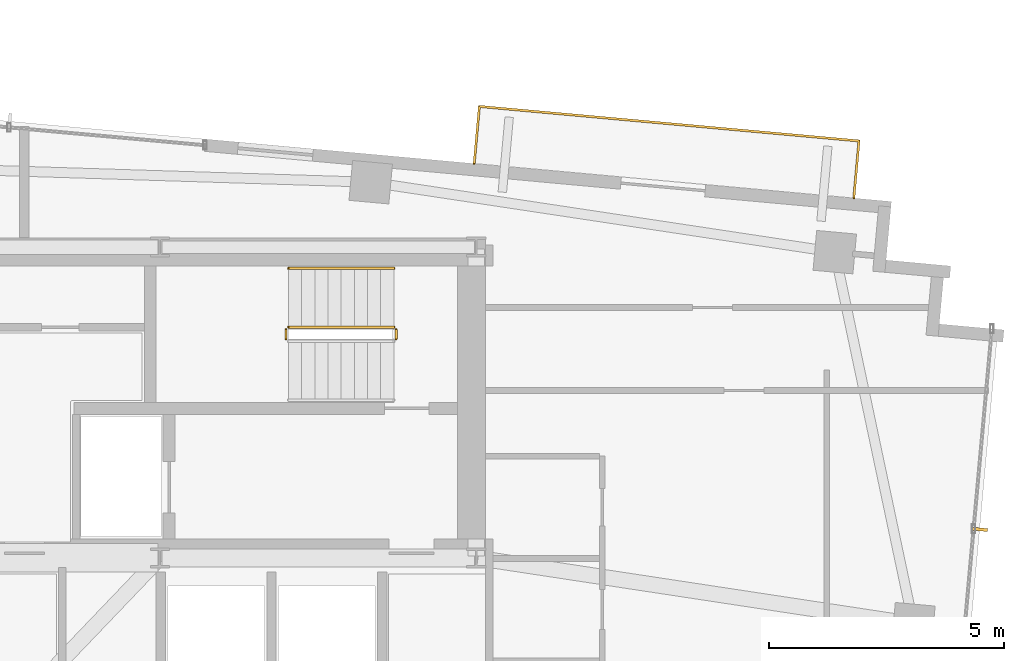
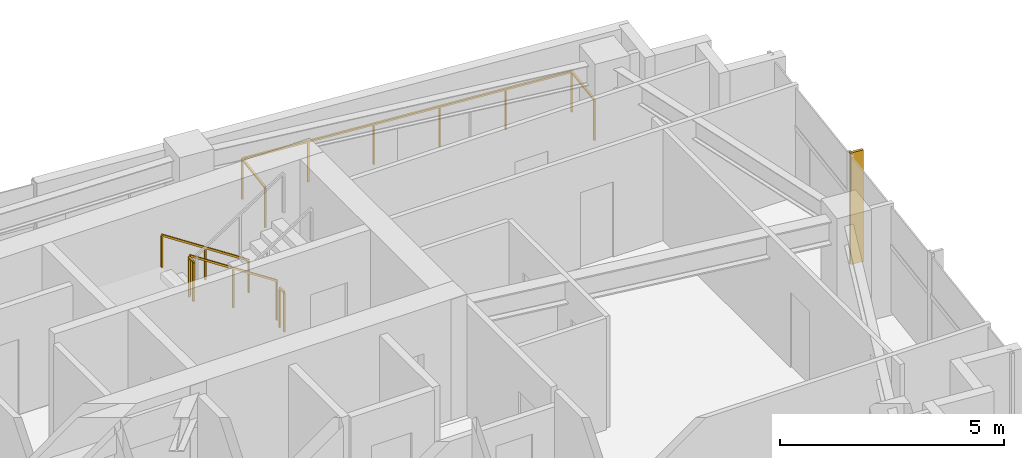
# One storey, part 22 of 22: 5 railings, 1 shading device.
"""IFC4 building model written with IfcOpenShell, lengths in metres."""

from ifc_helpers import new_model, si_unit, direction, frame, origin, origin_2d, place, context, subcontext, project, spatial, rectangle, extrude, source, transform, mapped, material, type_object, type_shapes, element, save


model = new_model("IFC4")

# Units and contexts
model_context = context("Model", 3, precision=1e-05, world=origin(), true_north=direction((0.0, 1.0)))
body_context = subcontext(model_context, "Body", "Model", "MODEL_VIEW")
ifc_project = project(units=[si_unit("LENGTHUNIT", "METRE"), si_unit("AREAUNIT", "SQUARE_METRE"), si_unit("VOLUMEUNIT", "CUBIC_METRE"), si_unit("PLANEANGLEUNIT", "RADIAN"), si_unit("MASSUNIT", "GRAM", prefix="KILO")], contexts=[model_context])

# Site, building, storey
site_placement = place(None, origin())
site = spatial("IfcSite", under=ifc_project, at=site_placement, CompositionType="ELEMENT")
building_placement = place(site_placement, origin())
building = spatial("IfcBuilding", under=site, at=building_placement, Name="Astriad Promenade Condominiums", CompositionType="ELEMENT")
storey_placement = place(building_placement, frame((0.0, 0.0, 239.699951171875)))
storey = spatial("IfcBuildingStorey", under=building, at=storey_placement, Name="L69", CompositionType="ELEMENT", Elevation=239.699951171875)

# Shading device
ifc_material_1 = material(Name="Anodised aluminium 6063-T6 Black Fin", Category="aluminium")
shading_device_type = type_object("IfcShadingDeviceType", Name="FIN-BLACK-260", PredefinedType="USERDEFINED", material=ifc_material_1)
shared_shape_1 = source(origin(), body_context, "Body", "SweptSolid", [
    extrude(rectangle(XDim=0.06494140625, YDim=0.320068359375, at=origin_2d()), origin(), (0.0, 0.0, 1.0), 3.0400390625),
])
type_shapes(shading_device_type, [shared_shape_1])
shading_device_placement = place(storey_placement, frame((56.306884765625, 18.0029296875, 0.0), z_axis=(0.0, 0.0, 1.0), x_axis=(-0.090632580198, -0.995884398616, 0.0)))
element("IfcShadingDevice", 1, at=shading_device_placement, inside=storey, type_object=shading_device_type, Name="CW-L69-E-FIN-01", ObjectType="FIN", PredefinedType="USERDEFINED", context=body_context, shape_type="MappedRepresentation", body=[
    mapped(shared_shape_1, transform((0.0, 0.0, 0.0), scale=1.0)),
])

# Railings
ifc_material_2 = material(Name="Laminated Glass and Stainless Steel Balustrade", Category="steel")
railing_type_1 = type_object("IfcRailingType", Name="GRD-BALC-1120", PredefinedType="BALUSTRADE", material=ifc_material_2)
shared_shape_2 = source(origin(), body_context, "Body", "SweptSolid", [
    extrude(rectangle(XDim=0.048095703125, YDim=0.048095703125, at=origin_2d()), frame((0.0, 0.0, 1.09619140625), z_axis=(0.09066206129, 0.995881715186, 0.0), x_axis=(-0.995881715186, 0.09066206129, 0.0)), (0.0, 0.0, 1.0), 1.219970703125),
    extrude(rectangle(XDim=0.048095703125, YDim=0.048095703125, at=origin_2d()), frame((0.110595703125, 1.21484375, 1.09619140625), z_axis=(-0.995883317096, 0.090644463314, 0.0), x_axis=(-0.090644463314, -0.995883317096, 0.0)), (0.0, 0.0, 1.0), 8.09912109375),
    extrude(rectangle(XDim=0.048095703125, YDim=0.048095703125, at=origin_2d()), frame((-7.955078125, 1.948974609375, 1.09619140625), z_axis=(-0.09066206129, -0.995881715186, 0.0), x_axis=(0.995881715186, -0.09066206129, 0.0)), (0.0, 0.0, 1.0), 1.219970703125),
    extrude(rectangle(XDim=0.0419921875, YDim=0.0419921875, at=origin_2d()), origin(), (0.0, 0.0, 1.0), 1.072021484375),
    extrude(rectangle(XDim=0.0419921875, YDim=0.0419921875, at=origin_2d()), frame((0.110595703125, 1.21484375, 0.0)), (0.0, 0.0, 1.0), 1.072021484375),
    extrude(rectangle(XDim=0.0419921875, YDim=0.0419921875, at=origin_2d()), frame((-1.50244140625, 1.361572265625, 0.0)), (0.0, 0.0, 1.0), 1.072021484375),
    extrude(rectangle(XDim=0.0419921875, YDim=0.0419921875, at=origin_2d()), frame((-3.11572265625, 1.508544921875, 0.0)), (0.0, 0.0, 1.0), 1.072021484375),
    extrude(rectangle(XDim=0.0419921875, YDim=0.0419921875, at=origin_2d()), frame((-4.728759765625, 1.6552734375, 0.0)), (0.0, 0.0, 1.0), 1.072021484375),
    extrude(rectangle(XDim=0.0419921875, YDim=0.0419921875, at=origin_2d()), frame((-6.342041015625, 1.80224609375, 0.0)), (0.0, 0.0, 1.0), 1.072021484375),
    extrude(rectangle(XDim=0.0419921875, YDim=0.0419921875, at=origin_2d()), frame((-7.955078125, 1.948974609375, 0.0)), (0.0, 0.0, 1.0), 1.072021484375),
    extrude(rectangle(XDim=0.0419921875, YDim=0.0419921875, at=origin_2d()), frame((-8.065673828125, 0.734130859375, 0.0)), (0.0, 0.0, 1.0), 1.072021484375),
])
type_shapes(railing_type_1, [shared_shape_2])
railing_1_placement = place(storey_placement, frame((53.622802734375, 25.041748046875, 0.0)))
element("IfcRailing", 2, at=railing_1_placement, inside=storey, type_object=railing_type_1, Name="GRD-BALC-L69-NE", PredefinedType="BALUSTRADE", context=body_context, shape_type="MappedRepresentation", body=[
    mapped(shared_shape_2, transform((0.0, 0.0, 0.0), scale=1.0)),
])
ifc_material_3 = material(Name="Painted Galvanised Steel Guardrail", Category="steel")
railing_type_2 = type_object("IfcRailingType", Name="GRD-STAIR-1100", PredefinedType="GUARDRAIL", material=ifc_material_3)
shared_shape_3 = source(origin(), body_context, "Body", "SweptSolid", [
    extrude(rectangle(XDim=0.048095703125, YDim=0.048095703125, at=origin_2d()), frame((0.0, 0.0, 1.076171875), z_axis=(-0.836595146698, 0.0, 0.547821650285), x_axis=(0.0, -1.0, 0.0)), (0.0, 0.0, 1.0), 2.677490234375),
    extrude(rectangle(XDim=0.0419921875, YDim=0.0419921875, at=origin_2d()), origin(), (0.0, 0.0, 1.0), 1.052001953125),
    extrude(rectangle(XDim=0.0419921875, YDim=0.0419921875, at=origin_2d()), frame((-1.1201171875, 0.0, 0.7333984375)), (0.0, 0.0, 1.0), 1.052001953125),
    extrude(rectangle(XDim=0.0419921875, YDim=0.0419921875, at=origin_2d()), frame((-2.239990234375, 0.0, 1.466796875)), (0.0, 0.0, 1.0), 1.052001953125),
])
railing_2_placement = place(storey_placement, frame((43.85009765625, 22.300048828125, 0.183349609375)))
element("IfcRailing", 3, at=railing_2_placement, inside=storey, type_object=railing_type_2, Name="L69 ST-2 stair guard 1", PredefinedType="GUARDRAIL", context=body_context, shape_type="MappedRepresentation", body=[
    mapped(shared_shape_3, transform((0.0, 0.0, 0.0), scale=1.0)),
])
ifc_material_4 = material(Name="Brushed Stainless Steel Handrail", Category="steel")
railing_type_3 = type_object("IfcRailingType", Name="HRL-STAIR-920", PredefinedType="HANDRAIL", material=ifc_material_4)
shared_shape_4 = source(origin(), body_context, "Body", "SweptSolid", [
    extrude(rectangle(XDim=0.048095703125, YDim=0.048095703125, at=origin_2d()), frame((0.0, 0.0, 0.8759765625), z_axis=(-0.836595146698, 0.0, 0.547821650285), x_axis=(0.0, -1.0, 0.0)), (0.0, 0.0, 1.0), 2.677490234375),
    extrude(rectangle(XDim=0.0419921875, YDim=0.0419921875, at=origin_2d()), origin(), (0.0, 0.0, 1.0), 0.851806640625),
    extrude(rectangle(XDim=0.0419921875, YDim=0.0419921875, at=origin_2d()), frame((-1.1201171875, 0.0, 0.7333984375)), (0.0, 0.0, 1.0), 0.851806640625),
    extrude(rectangle(XDim=0.0419921875, YDim=0.0419921875, at=origin_2d()), frame((-2.239990234375, 0.0, 1.466796875)), (0.0, 0.0, 1.0), 0.851806640625),
])
type_shapes(railing_type_3, [shared_shape_4])
railing_3_placement = place(storey_placement, frame((43.85009765625, 23.550048828125, 0.183349609375)))
element("IfcRailing", 4, at=railing_3_placement, inside=storey, type_object=railing_type_3, Name="L69 ST-2 stair handrail 1", PredefinedType="HANDRAIL", context=body_context, shape_type="MappedRepresentation", body=[
    mapped(shared_shape_4, transform((0.0, 0.0, 0.0), scale=1.0)),
])
shared_shape_5 = source(origin(), body_context, "Body", "SweptSolid", [
    extrude(rectangle(XDim=0.048095703125, YDim=0.048095703125, at=origin_2d()), frame((0.0, 0.0, 1.076171875), z_axis=(0.0, -1.0, 0.0), x_axis=(1.0, 0.0, 0.0)), (0.0, 0.0, 1.0), 0.199951171875),
    extrude(rectangle(XDim=0.0419921875, YDim=0.0419921875, at=origin_2d()), origin(), (0.0, 0.0, 1.0), 1.052001953125),
    extrude(rectangle(XDim=0.0419921875, YDim=0.0419921875, at=origin_2d()), frame((0.0, -0.199951171875, 0.0)), (0.0, 0.0, 1.0), 1.052001953125),
])
type_shapes(railing_type_2, [shared_shape_3, shared_shape_5])
for number, where, name in (
    (5, (41.56005859375, 22.25, 1.650146484375), "L69 ST-2 stair guard 2"),
    (6, (43.89990234375, 22.25, 0.0), "L69 ST-2 stair guard 4"),
):
    element("IfcRailing", number, at=place(storey_placement, frame(where)), inside=storey, type_object=railing_type_2, Name=name, PredefinedType="GUARDRAIL", context=body_context, shape_type="MappedRepresentation", body=[
        mapped(shared_shape_5, transform((0.0, 0.0, 0.0), scale=1.0)),
    ])

save(model, "model.ifc")
